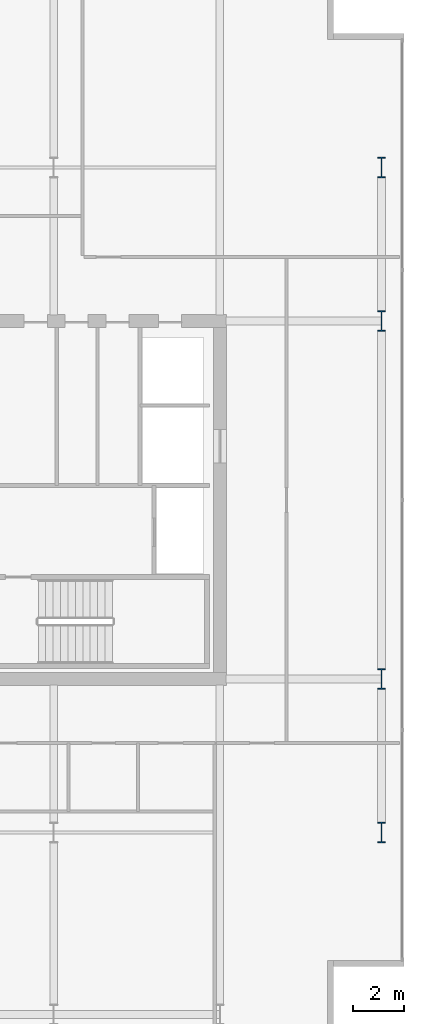
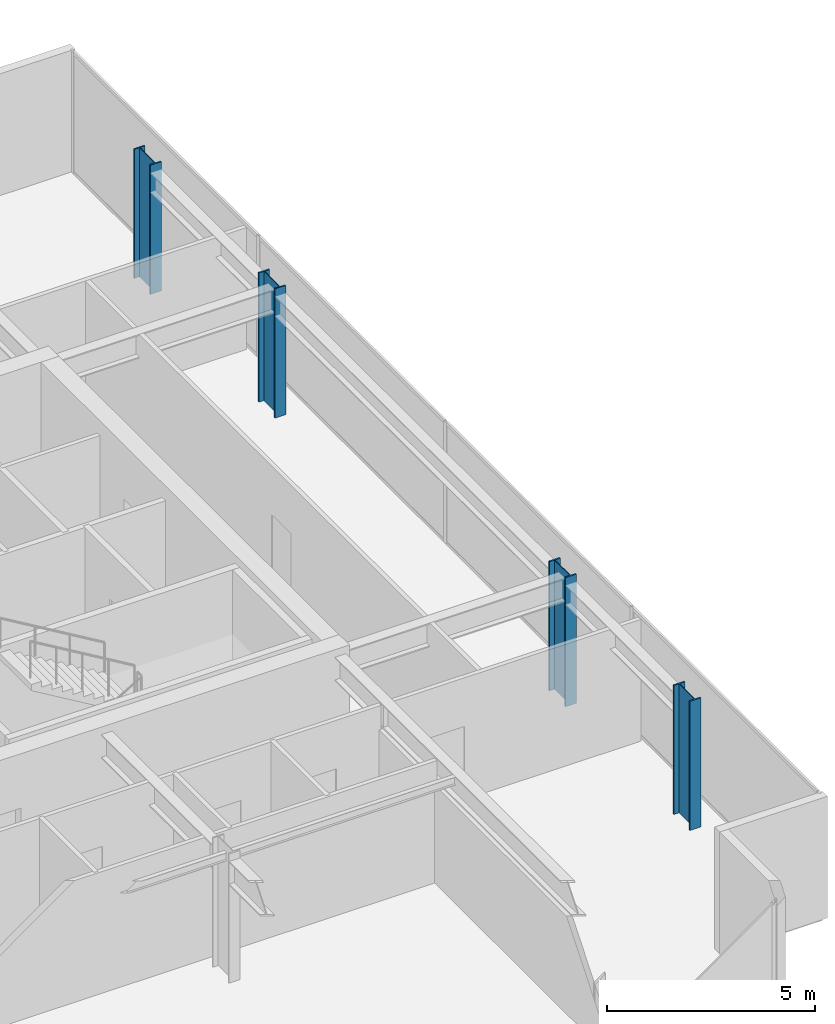
# One storey, part 2 of 23: 4 columns.
"""IFC4 building model written with IfcOpenShell, lengths in metres."""

from ifc_helpers import new_model, si_unit, direction, frame, origin, origin_2d, place, context, subcontext, project, spatial, i_section, extrude, material, material_profile, profile_set, type_object, element, save


model = new_model("IFC4")

# Units and contexts
model_context = context("Model", 3, precision=1e-05, world=origin(), true_north=direction((0.0, 1.0)))
body_context = subcontext(model_context, "Body", "Model", "MODEL_VIEW")
ifc_project = project(units=[si_unit("LENGTHUNIT", "METRE"), si_unit("AREAUNIT", "SQUARE_METRE"), si_unit("VOLUMEUNIT", "CUBIC_METRE"), si_unit("PLANEANGLEUNIT", "RADIAN"), si_unit("MASSUNIT", "GRAM", prefix="KILO")], contexts=[model_context])

# Site, building, storey
site_placement = place(None, origin())
site = spatial("IfcSite", under=ifc_project, at=site_placement, CompositionType="ELEMENT")
building_placement = place(site_placement, origin())
building = spatial("IfcBuilding", under=site, at=building_placement, Name="Putna Gate Headquarters", CompositionType="ELEMENT")
storey_placement = place(building_placement, frame((0.0, 0.0, 217.60009765625)))
storey = spatial("IfcBuildingStorey", under=building, at=storey_placement, Name="L54", CompositionType="ELEMENT", Elevation=217.60009765625)

# Columns
ifc_material = material(Name="Steel S460M", Category="steel")
ifc_material_profile = material_profile(ifc_material, i_section(OverallWidth=0.302978515625, OverallDepth=0.81396484375, WebThickness=0.02099609375, FlangeThickness=0.0400390625, at=origin_2d()), Name="Steel S460M")
ifc_profile_set = profile_set([ifc_material_profile], Name="Steel S460M")
column_type = type_object("IfcColumnType", Name="COL-STL-HEM800-EXT", PredefinedType="COLUMN", material=ifc_profile_set)
for number, where, z_axis, x_axis, name in (
    (1, (71.320068359375, 13.0, 0.0), (0.0, 0.0, 1.0), (1.0, 0.0, 0.0), "L54 Column CP-E13"),
    (2, (71.320068359375, 19.0, 0.0), (0.0, 0.0, 1.0), (1.0, 0.0, 0.0), "L54 Column CP-E19"),
    (3, (71.320068359375, 33.0, 0.0), (0.0, 0.0, 1.0), (1.0, 0.0, 0.0), "L54 Column CP-E33"),
    (4, (71.320068359375, 39.0, 0.0), (0.0, 0.0, 1.0), (1.0, 0.0, 0.0), "L54 Column CP-E39"),
):
    element("IfcColumn", number, at=place(storey_placement, frame(where, z_axis=z_axis, x_axis=x_axis)), inside=storey, type_object=column_type, Name=name, PredefinedType="COLUMN", context=body_context, shape_type="SweptSolid", body=[
        extrude(i_section(OverallWidth=0.302978515625, OverallDepth=0.81396484375, WebThickness=0.02099609375, FlangeThickness=0.0400390625, at=origin_2d()), origin(), (0.0, 0.0, 1.0), 3.7998046875),
    ])

save(model, "model.ifc")
